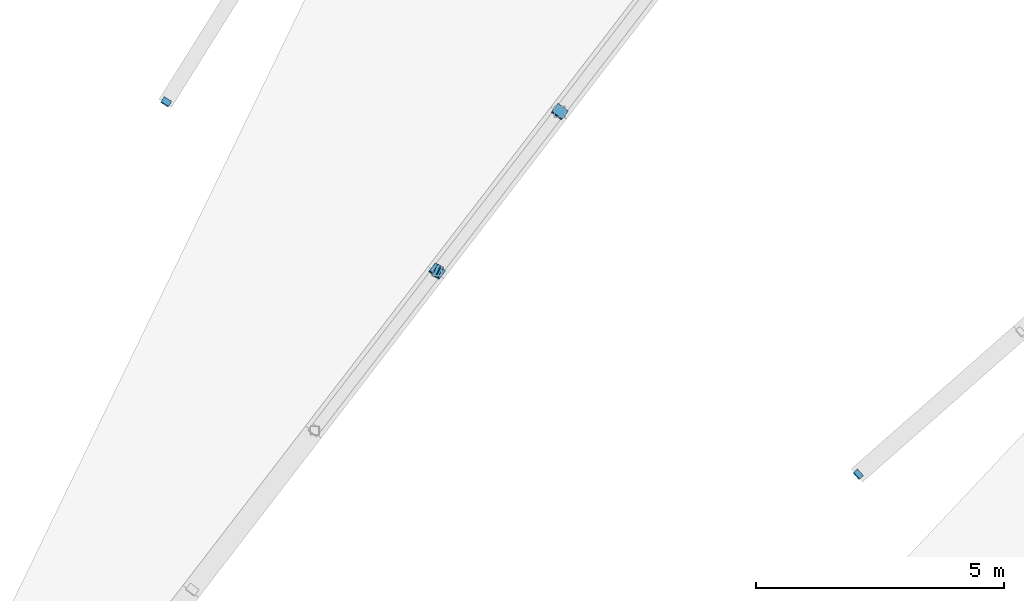
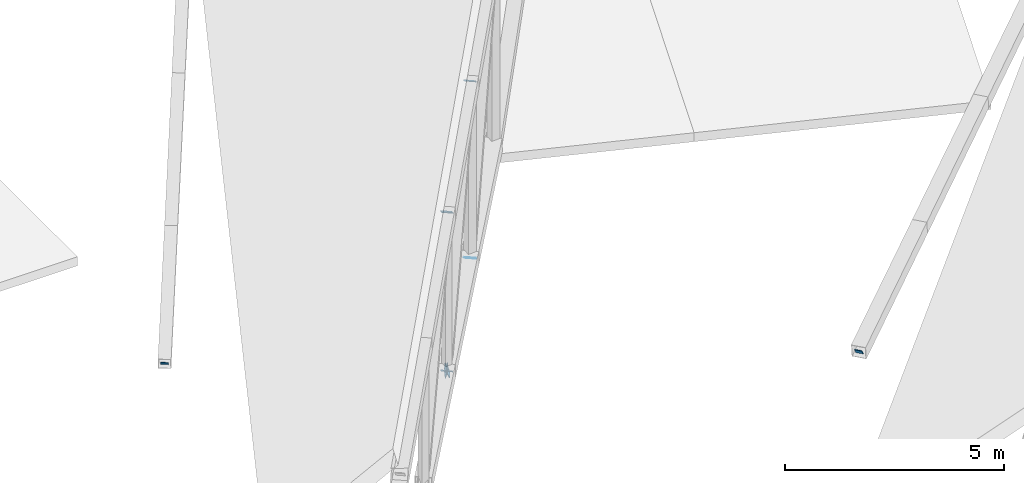
# One storey, part 180 of 188: 8 discrete accessories.
"""IFC4 building model written with IfcOpenShell, lengths in metres."""

from ifc_helpers import new_model, si_unit, direction, frame, origin, origin_2d, place, context, subcontext, project, spatial, rectangle, extrude, material, material_profile, profile_set, type_object, element, save


model = new_model("IFC4")

# Units and contexts
model_context = context("Model", 3, precision=1e-05, world=origin(), true_north=direction((0.0, 1.0)))
body_context = subcontext(model_context, "Body", "Model", "MODEL_VIEW")
ifc_project = project(units=[si_unit("LENGTHUNIT", "METRE"), si_unit("AREAUNIT", "SQUARE_METRE"), si_unit("VOLUMEUNIT", "CUBIC_METRE"), si_unit("PLANEANGLEUNIT", "RADIAN"), si_unit("MASSUNIT", "GRAM", prefix="KILO")], contexts=[model_context])

# Site, building, storey
site_placement = place(None, origin())
site = spatial("IfcSite", under=ifc_project, at=site_placement, CompositionType="ELEMENT")
building_placement = place(site_placement, origin())
building = spatial("IfcBuilding", under=site, at=building_placement, Name="Meseta Stadium", CompositionType="ELEMENT")
storey_placement = place(building_placement, frame((0.0, 0.0, 30.0)))
storey = spatial("IfcBuildingStorey", under=building, at=storey_placement, Name="ROOF", CompositionType="ELEMENT", Elevation=30.0)

# Discrete accessories
ifc_material_1 = material(Name="Steel S355", Category="steel")
ifc_material_profile_1 = material_profile(ifc_material_1, rectangle(XDim=0.179931640625, YDim=0.179931640625, at=origin_2d()), Name="PL 180x180")
ifc_profile_set_1 = profile_set([ifc_material_profile_1], Name="Steel S355")
discrete_accessory_type_1 = type_object("IfcDiscreteAccessoryType", Name="End plate 180x180x20", PredefinedType="ANCHORPLATE", material=ifc_profile_set_1)
discrete_accessory_1_placement = place(storey_placement, frame((58.068115234375, 79.032470703125, 1.02099609375), z_axis=(0.609031921418, 0.535948090848, 0.584670644561), x_axis=(-0.660627894892, 0.750713516923, 0.0)))
element("IfcDiscreteAccessory", 1, at=discrete_accessory_1_placement, inside=storey, type_object=discrete_accessory_type_1, Name="End plate of ROOF TRUSS RT-13 diagonal", PredefinedType="ANCHORPLATE", context=body_context, shape_type="SweptSolid", body=[
    extrude(rectangle(XDim=0.179931640625, YDim=0.179931640625, at=origin_2d()), origin(), (0.0, 0.0, 1.0), 0.02001953125),
])
discrete_accessory_2_placement = place(storey_placement, frame((44.09716796875, 86.551025390625, 1.01953125), z_axis=(0.385962592087, 0.615127881139, 0.687495867155), x_axis=(-0.847063894508, 0.531491071064, 0.0)))
element("IfcDiscreteAccessory", 2, at=discrete_accessory_2_placement, inside=storey, type_object=discrete_accessory_type_1, Name="End plate of ROOF TRUSS RT-15 diagonal", PredefinedType="ANCHORPLATE", context=body_context, shape_type="SweptSolid", body=[
    extrude(rectangle(XDim=0.179931640625, YDim=0.179931640625, at=origin_2d()), origin(), (0.0, 0.0, 1.0), 0.020263671875),
])
ifc_material_2 = material(Name="Steel S355", Category="steel")
ifc_material_profile_2 = material_profile(ifc_material_2, rectangle(XDim=0.260009765625, YDim=0.260009765625, at=origin_2d()), Name="PL 260x260")
ifc_profile_set_2 = profile_set([ifc_material_profile_2], Name="Steel S355")
discrete_accessory_type_2 = type_object("IfcDiscreteAccessoryType", Name="End plate 260x260x20", PredefinedType="ANCHORPLATE", material=ifc_profile_set_2)
for number, where, z_axis, x_axis, name in (
    (3, (49.572998046875, 83.141357421875, 5.3955078125), (0.403249456213, 0.513226580635, 0.757620190461), (-0.786318338822, 0.617821551932, 0.0), "End plate of ROOF TRUSS RT-14 diagonal"),
    (4, (49.565673828125, 83.131591796875, 0.96923828125), (0.36582645651, 0.48776860868, 0.792623989105), (-0.8, 0.6, 0.0), "End plate of ROOF TRUSS RT-14 diagonal"),
    (5, (52.048095703125, 86.3603515625, 6.231689453125), (0.376317804377, 0.485571360486, 0.78905346079), (-0.790415052175, 0.612571665436, 0.0), "End plate of ROOF TRUSS RT-14 diagonal"),
    (6, (52.041015625, 86.35107421875, 1.302978515625), (0.352350913471, 0.461701196962, 0.814052110433), (-0.794951246045, 0.60667331935, 0.0), "End plate of ROOF TRUSS RT-14 diagonal"),
):
    element("IfcDiscreteAccessory", number, at=place(storey_placement, frame(where, z_axis=z_axis, x_axis=x_axis)), inside=storey, type_object=discrete_accessory_type_2, Name=name, PredefinedType="ANCHORPLATE", context=body_context, shape_type="SweptSolid", body=[
        extrude(rectangle(XDim=0.260009765625, YDim=0.260009765625, at=origin_2d()), origin(), (0.0, 0.0, 1.0), 0.02001953125),
    ])
discrete_accessory_3_placement = place(storey_placement, frame((49.572998046875, 83.141357421875, 0.985107421875), z_axis=(-0.874148278598, 0.41860621792, 0.246238951718), x_axis=(-0.431904937574, -0.901919134346, 0.0)))
element("IfcDiscreteAccessory", 7, at=discrete_accessory_3_placement, inside=storey, type_object=discrete_accessory_type_2, Name="End plate of ROOF TRUSS STRUT RT-13/14", PredefinedType="ANCHORPLATE", context=body_context, shape_type="SweptSolid", body=[
    extrude(rectangle(XDim=0.260009765625, YDim=0.260009765625, at=origin_2d()), origin(), (0.0, 0.0, 1.0), 0.019775390625),
])
discrete_accessory_4_placement = place(storey_placement, frame((49.58837890625, 83.1318359375, 0.993896484375), z_axis=(-0.764774892766, 0.473432076474, -0.437014224438), x_axis=(-0.526354614616, -0.850265146688, 0.0)))
element("IfcDiscreteAccessory", 8, at=discrete_accessory_4_placement, inside=storey, type_object=discrete_accessory_type_2, Name="End plate of ROOF TRUSS STRUT RT-14/15", PredefinedType="ANCHORPLATE", context=body_context, shape_type="SweptSolid", body=[
    extrude(rectangle(XDim=0.260009765625, YDim=0.260009765625, at=origin_2d()), origin(), (0.0, 0.0, 1.0), 0.02001953125),
])

save(model, "model.ifc")
